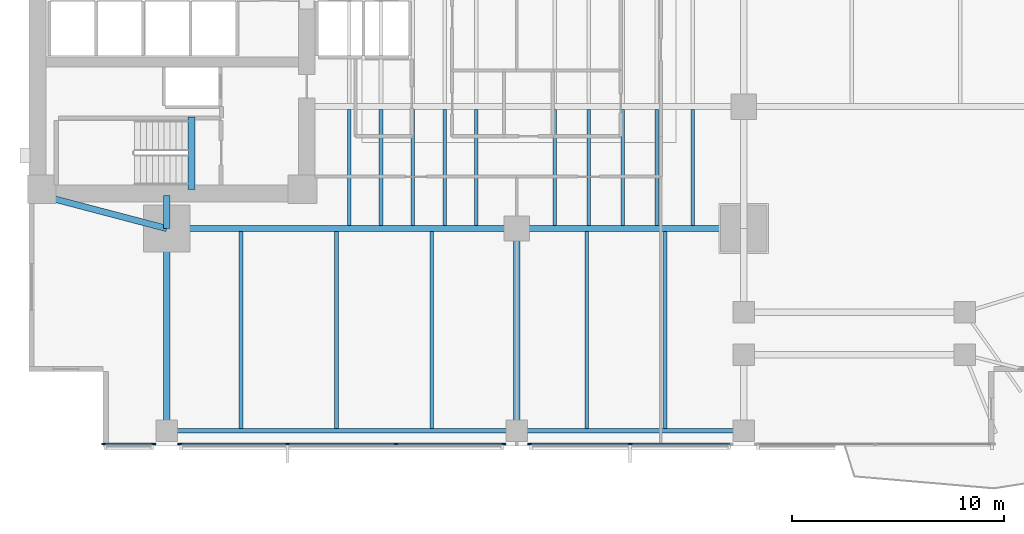
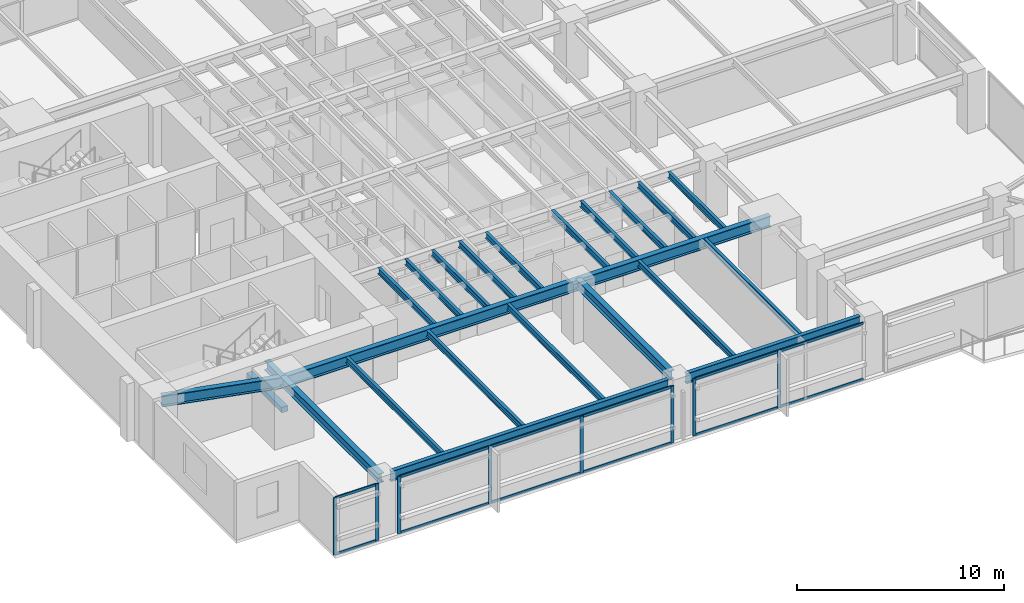
# One storey, part 2 of 15: 24 beams, 20 members, 3 elements without a shape of their own.
"""IFC4 building model written with IfcOpenShell, lengths in metres."""

from ifc_helpers import new_model, si_unit, direction, frame, origin, origin_2d, place, context, subcontext, project, spatial, rectangle, i_section, extrude, material, layer, layer_set, material_profile, profile_set, type_object, element, aggregate, save


model = new_model("IFC4")

# Units and contexts
model_context = context("Model", 3, precision=1e-05, world=origin(), true_north=direction((0.0, 1.0)))
body_context = subcontext(model_context, "Body", "Model", "MODEL_VIEW")
ifc_project = project(units=[si_unit("LENGTHUNIT", "METRE"), si_unit("AREAUNIT", "SQUARE_METRE"), si_unit("VOLUMEUNIT", "CUBIC_METRE"), si_unit("PLANEANGLEUNIT", "RADIAN"), si_unit("MASSUNIT", "GRAM", prefix="KILO")], contexts=[model_context])

# Site, building, storey
site_placement = place(None, origin())
site = spatial("IfcSite", under=ifc_project, at=site_placement, CompositionType="ELEMENT")
building_placement = place(site_placement, origin())
building = spatial("IfcBuilding", under=site, at=building_placement, Name="Kinhvarn Gate Tower", CompositionType="ELEMENT")
storey_placement = place(building_placement, frame((0.0, 0.0, 43.35009765625)))
storey = spatial("IfcBuildingStorey", under=building, at=storey_placement, Name="L10", CompositionType="ELEMENT", Elevation=43.35009765625)

# Beam
ifc_material_1 = material(Name="Concrete C50/60", Category="concrete")
ifc_material_profile_1 = material_profile(ifc_material_1, rectangle(XDim=0.340087890625, YDim=0.320068359375, at=origin_2d()), Name="RC 340x320")
ifc_profile_set_1 = profile_set([ifc_material_profile_1], Name="Concrete C50/60")
beam_type_1 = type_object("IfcBeamType", Name="BM-LND-500", PredefinedType="BEAM", material=ifc_profile_set_1)
beam_1_placement = place(storey_placement, frame((12.1650390625, 14.60009765625, -0.16015625), z_axis=(0.0, 1.0, 0.0), x_axis=(-1.0, 0.0, 0.0)))
element("IfcBeam", 1, at=beam_1_placement, inside=storey, type_object=beam_type_1, Name="Stair ST1 Landing Nosing Beam (L10)", PredefinedType="BEAM", context=body_context, shape_type="SweptSolid", body=[
    extrude(rectangle(XDim=0.340087890625, YDim=0.320068359375, at=origin_2d()), origin(), (0.0, 0.0, 1.0), 3.39990234375),
])

# Curtain wall, members
ifc_material_2 = material(Name="Anodised aluminium AW-6063", Category="aluminium")
ifc_layer = layer(ifc_material_2, 0.179931640625)
ifc_layer_set = layer_set([ifc_layer], Name="Anodised aluminium AW-6063")
curtain_wall_type = type_object("IfcCurtainWallType", Name="CW-SYS-2", PredefinedType="NOTDEFINED", material=ifc_layer_set)
curtain_wall_1_placement = place(storey_placement, origin())
curtain_wall_1 = element("IfcCurtainWall", 2, at=curtain_wall_1_placement, inside=storey, type_object=curtain_wall_type, Name="Curtain Wall CW2 (L10)", PredefinedType="NOTDEFINED")
ifc_material_profile_2 = material_profile(ifc_material_2, rectangle(XDim=0.070068359375, YDim=0.179931640625, at=origin_2d()), Name="ALU 70x180")
ifc_profile_set_2 = profile_set([ifc_material_profile_2], Name="Anodised aluminium AW-6063")
member_type_1 = type_object("IfcMemberType", Name="CW-MUL-180", PredefinedType="MULLION", material=ifc_profile_set_2)
member_1_placement = place(storey_placement, frame((8.034912109375, 2.590087890625, 0.0), z_axis=(0.0, 0.0, 1.0), x_axis=(0.0, 1.0, 0.0)))
member_1 = element("IfcMember", 3, at=member_1_placement, type_object=member_type_1, Name="CW2 mullion 1", PredefinedType="MULLION", context=body_context, shape_type="SweptSolid", body=[
    extrude(rectangle(XDim=0.070068359375, YDim=0.179931640625, at=origin_2d()), origin(), (0.0, 0.0, 1.0), 3.369873046875),
])
member_2_placement = place(storey_placement, frame((10.385009765625, 2.590087890625, 0.0), z_axis=(0.0, 0.0, 1.0), x_axis=(0.0, 1.0, 0.0)))
member_2 = element("IfcMember", 4, at=member_2_placement, type_object=member_type_1, Name="CW2 mullion 2", PredefinedType="MULLION", context=body_context, shape_type="SweptSolid", body=[
    extrude(rectangle(XDim=0.070068359375, YDim=0.179931640625, at=origin_2d()), origin(), (0.0, 0.0, 1.0), 3.369873046875),
])

curtain_wall_2_placement = place(storey_placement, origin())
curtain_wall_2 = element("IfcCurtainWall", 5, at=curtain_wall_2_placement, inside=storey, type_object=curtain_wall_type, Name="Curtain Wall CW2 (L10)", PredefinedType="NOTDEFINED")
member_3_placement = place(storey_placement, frame((11.614990234375, 2.590087890625, 0.0), z_axis=(0.0, 0.0, 1.0), x_axis=(0.0, 1.0, 0.0)))
member_3 = element("IfcMember", 6, at=member_3_placement, type_object=member_type_1, Name="CW2 mullion 1", PredefinedType="MULLION", context=body_context, shape_type="SweptSolid", body=[
    extrude(rectangle(XDim=0.070068359375, YDim=0.179931640625, at=origin_2d()), origin(), (0.0, 0.0, 1.0), 3.369873046875),
])
member_4_placement = place(storey_placement, frame((16.693359375, 2.590087890625, 0.0), z_axis=(0.0, 0.0, 1.0), x_axis=(0.0, 1.0, 0.0)))
member_4 = element("IfcMember", 7, at=member_4_placement, type_object=member_type_1, Name="CW2 mullion 2", PredefinedType="MULLION", context=body_context, shape_type="SweptSolid", body=[
    extrude(rectangle(XDim=0.070068359375, YDim=0.179931640625, at=origin_2d()), origin(), (0.0, 0.0, 1.0), 3.369873046875),
])
member_5_placement = place(storey_placement, frame((21.806640625, 2.590087890625, 0.0), z_axis=(0.0, 0.0, 1.0), x_axis=(0.0, 1.0, 0.0)))
member_5 = element("IfcMember", 8, at=member_5_placement, type_object=member_type_1, Name="CW2 mullion 3", PredefinedType="MULLION", context=body_context, shape_type="SweptSolid", body=[
    extrude(rectangle(XDim=0.070068359375, YDim=0.179931640625, at=origin_2d()), origin(), (0.0, 0.0, 1.0), 3.369873046875),
])
member_6_placement = place(storey_placement, frame((26.885009765625, 2.590087890625, 0.0), z_axis=(0.0, 0.0, 1.0), x_axis=(0.0, 1.0, 0.0)))
member_6 = element("IfcMember", 9, at=member_6_placement, type_object=member_type_1, Name="CW2 mullion 4", PredefinedType="MULLION", context=body_context, shape_type="SweptSolid", body=[
    extrude(rectangle(XDim=0.070068359375, YDim=0.179931640625, at=origin_2d()), origin(), (0.0, 0.0, 1.0), 3.369873046875),
])

curtain_wall_3_placement = place(storey_placement, origin())
curtain_wall_3 = element("IfcCurtainWall", 10, at=curtain_wall_3_placement, inside=storey, type_object=curtain_wall_type, Name="Curtain Wall CW2 (L10)", PredefinedType="NOTDEFINED")
member_7_placement = place(storey_placement, frame((28.114990234375, 2.590087890625, 0.0), z_axis=(0.0, 0.0, 1.0), x_axis=(0.0, 1.0, 0.0)))
member_7 = element("IfcMember", 11, at=member_7_placement, type_object=member_type_1, Name="CW2 mullion 1", PredefinedType="MULLION", context=body_context, shape_type="SweptSolid", body=[
    extrude(rectangle(XDim=0.070068359375, YDim=0.179931640625, at=origin_2d()), origin(), (0.0, 0.0, 1.0), 3.369873046875),
])
member_8_placement = place(storey_placement, frame((32.85009765625, 2.590087890625, 0.0), z_axis=(0.0, 0.0, 1.0), x_axis=(0.0, 1.0, 0.0)))
member_8 = element("IfcMember", 12, at=member_8_placement, type_object=member_type_1, Name="CW2 mullion 2", PredefinedType="MULLION", context=body_context, shape_type="SweptSolid", body=[
    extrude(rectangle(XDim=0.070068359375, YDim=0.179931640625, at=origin_2d()), origin(), (0.0, 0.0, 1.0), 3.369873046875),
])

# Member
ifc_material_profile_3 = material_profile(ifc_material_2, rectangle(XDim=0.070068359375, YDim=0.139892578125, at=origin_2d()), Name="ALU 70x140")
ifc_profile_set_3 = profile_set([ifc_material_profile_3], Name="Anodised aluminium AW-6063")
member_type_2 = type_object("IfcMemberType", Name="CW-TRN-140", PredefinedType="USERDEFINED", material=ifc_profile_set_3)
member_9_placement = place(storey_placement, frame((8.070068359375, 2.590087890625, 0.034912109375), z_axis=(1.0, 0.0, 0.0), x_axis=(0.0, 1.0, 0.0)))
member_9 = element("IfcMember", 13, at=member_9_placement, type_object=member_type_2, Name="CW2 transom 1.1", ObjectType="TRANSOM", PredefinedType="USERDEFINED", context=body_context, shape_type="SweptSolid", body=[
    extrude(rectangle(XDim=0.070068359375, YDim=0.139892578125, at=origin_2d()), origin(), (0.0, 0.0, 1.0), 2.280029296875),
])

member_10_placement = place(storey_placement, frame((8.070068359375, 2.590087890625, 3.3349609375), z_axis=(1.0, 0.0, 0.0), x_axis=(0.0, 1.0, 0.0)))
member_10 = element("IfcMember", 14, at=member_10_placement, type_object=member_type_2, Name="CW2 transom 1.2", ObjectType="TRANSOM", PredefinedType="USERDEFINED", context=body_context, shape_type="SweptSolid", body=[
    extrude(rectangle(XDim=0.070068359375, YDim=0.139892578125, at=origin_2d()), origin(), (0.0, 0.0, 1.0), 2.280029296875),
])

aggregate(curtain_wall_1, [member_1, member_2, member_9, member_10])

member_11_placement = place(storey_placement, frame((11.64990234375, 2.590087890625, 0.034912109375), z_axis=(1.0, 0.0, 0.0), x_axis=(0.0, 1.0, 0.0)))
member_11 = element("IfcMember", 15, at=member_11_placement, type_object=member_type_2, Name="CW2 transom 1.1", ObjectType="TRANSOM", PredefinedType="USERDEFINED", context=body_context, shape_type="SweptSolid", body=[
    extrude(rectangle(XDim=0.070068359375, YDim=0.139892578125, at=origin_2d()), origin(), (0.0, 0.0, 1.0), 5.008544921875),
])

member_12_placement = place(storey_placement, frame((11.64990234375, 2.590087890625, 3.3349609375), z_axis=(1.0, 0.0, 0.0), x_axis=(0.0, 1.0, 0.0)))
member_12 = element("IfcMember", 16, at=member_12_placement, type_object=member_type_2, Name="CW2 transom 1.2", ObjectType="TRANSOM", PredefinedType="USERDEFINED", context=body_context, shape_type="SweptSolid", body=[
    extrude(rectangle(XDim=0.070068359375, YDim=0.139892578125, at=origin_2d()), origin(), (0.0, 0.0, 1.0), 5.008544921875),
])

member_13_placement = place(storey_placement, frame((16.728271484375, 2.590087890625, 0.034912109375), z_axis=(1.0, 0.0, 0.0), x_axis=(0.0, 1.0, 0.0)))
member_13 = element("IfcMember", 17, at=member_13_placement, type_object=member_type_2, Name="CW2 transom 2.1", ObjectType="TRANSOM", PredefinedType="USERDEFINED", context=body_context, shape_type="SweptSolid", body=[
    extrude(rectangle(XDim=0.070068359375, YDim=0.139892578125, at=origin_2d()), origin(), (0.0, 0.0, 1.0), 5.04345703125),
])

member_14_placement = place(storey_placement, frame((16.728271484375, 2.590087890625, 3.3349609375), z_axis=(1.0, 0.0, 0.0), x_axis=(0.0, 1.0, 0.0)))
member_14 = element("IfcMember", 18, at=member_14_placement, type_object=member_type_2, Name="CW2 transom 2.2", ObjectType="TRANSOM", PredefinedType="USERDEFINED", context=body_context, shape_type="SweptSolid", body=[
    extrude(rectangle(XDim=0.070068359375, YDim=0.139892578125, at=origin_2d()), origin(), (0.0, 0.0, 1.0), 5.04345703125),
])

member_15_placement = place(storey_placement, frame((21.841552734375, 2.590087890625, 0.034912109375), z_axis=(1.0, 0.0, 0.0), x_axis=(0.0, 1.0, 0.0)))
member_15 = element("IfcMember", 19, at=member_15_placement, type_object=member_type_2, Name="CW2 transom 3.1", ObjectType="TRANSOM", PredefinedType="USERDEFINED", context=body_context, shape_type="SweptSolid", body=[
    extrude(rectangle(XDim=0.070068359375, YDim=0.139892578125, at=origin_2d()), origin(), (0.0, 0.0, 1.0), 5.008544921875),
])

member_16_placement = place(storey_placement, frame((21.841552734375, 2.590087890625, 3.3349609375), z_axis=(1.0, 0.0, 0.0), x_axis=(0.0, 1.0, 0.0)))
member_16 = element("IfcMember", 20, at=member_16_placement, type_object=member_type_2, Name="CW2 transom 3.2", ObjectType="TRANSOM", PredefinedType="USERDEFINED", context=body_context, shape_type="SweptSolid", body=[
    extrude(rectangle(XDim=0.070068359375, YDim=0.139892578125, at=origin_2d()), origin(), (0.0, 0.0, 1.0), 5.008544921875),
])

aggregate(curtain_wall_2, [member_3, member_4, member_5, member_6, member_11, member_12, member_13, member_14, member_15, member_16])

member_17_placement = place(storey_placement, frame((28.14990234375, 2.590087890625, 0.034912109375), z_axis=(1.0, 0.0, 0.0), x_axis=(0.0, 1.0, 0.0)))
member_17 = element("IfcMember", 21, at=member_17_placement, type_object=member_type_2, Name="CW2 transom 1.1", ObjectType="TRANSOM", PredefinedType="USERDEFINED", context=body_context, shape_type="SweptSolid", body=[
    extrude(rectangle(XDim=0.070068359375, YDim=0.139892578125, at=origin_2d()), origin(), (0.0, 0.0, 1.0), 4.6650390625),
])

member_18_placement = place(storey_placement, frame((28.14990234375, 2.590087890625, 3.3349609375), z_axis=(1.0, 0.0, 0.0), x_axis=(0.0, 1.0, 0.0)))
member_18 = element("IfcMember", 22, at=member_18_placement, type_object=member_type_2, Name="CW2 transom 1.2", ObjectType="TRANSOM", PredefinedType="USERDEFINED", context=body_context, shape_type="SweptSolid", body=[
    extrude(rectangle(XDim=0.070068359375, YDim=0.139892578125, at=origin_2d()), origin(), (0.0, 0.0, 1.0), 4.6650390625),
])

member_19_placement = place(storey_placement, frame((32.885009765625, 2.590087890625, 0.034912109375), z_axis=(1.0, 0.0, 0.0), x_axis=(0.0, 1.0, 0.0)))
member_19 = element("IfcMember", 23, at=member_19_placement, type_object=member_type_2, Name="CW2 transom 2.1", ObjectType="TRANSOM", PredefinedType="USERDEFINED", context=body_context, shape_type="SweptSolid", body=[
    extrude(rectangle(XDim=0.070068359375, YDim=0.139892578125, at=origin_2d()), origin(), (0.0, 0.0, 1.0), 4.6650390625),
])

member_20_placement = place(storey_placement, frame((32.885009765625, 2.590087890625, 3.3349609375), z_axis=(1.0, 0.0, 0.0), x_axis=(0.0, 1.0, 0.0)))
member_20 = element("IfcMember", 24, at=member_20_placement, type_object=member_type_2, Name="CW2 transom 2.2", ObjectType="TRANSOM", PredefinedType="USERDEFINED", context=body_context, shape_type="SweptSolid", body=[
    extrude(rectangle(XDim=0.070068359375, YDim=0.139892578125, at=origin_2d()), origin(), (0.0, 0.0, 1.0), 4.6650390625),
])

aggregate(curtain_wall_3, [member_7, member_8, member_17, member_18, member_19, member_20])

# Beams
ifc_material_3 = material(Name="Steel S355", Category="steel")
ifc_material_profile_4 = material_profile(ifc_material_3, i_section(OverallWidth=0.300048828125, OverallDepth=0.550048828125, WebThickness=0.014892578125, FlangeThickness=0.029052734375, at=origin_2d()), Name="HEB 550")
ifc_profile_set_4 = profile_set([ifc_material_profile_4], Name="Steel S355")
beam_type_2 = type_object("IfcBeamType", Name="STL-HEB550", PredefinedType="BEAM", material=ifc_profile_set_4)
beam_2_placement = place(storey_placement, frame((11.0, 3.219970703125, 3.094970703125), z_axis=(0.0, 1.0, 0.0), x_axis=(-1.0, 0.0, 0.0)))
element("IfcBeam", 25, at=beam_2_placement, inside=storey, type_object=beam_type_2, Name="Floor Beam PG-15 (L10 MCW-S)", PredefinedType="BEAM", context=body_context, shape_type="SweptSolid", body=[
    extrude(i_section(OverallWidth=0.300048828125, OverallDepth=0.550048828125, WebThickness=0.014892578125, FlangeThickness=0.029052734375, at=origin_2d()), origin(), (0.0, 0.0, 1.0), 9.530029296875),
])
beam_3_placement = place(storey_placement, frame((11.0, 12.75, 3.094970703125), z_axis=(0.0, 1.0, 0.0), x_axis=(-1.0, 0.0, 0.0)))
element("IfcBeam", 26, at=beam_3_placement, inside=storey, type_object=beam_type_2, Name="Floor Beam PG-15 (L10 MCW-CS)", PredefinedType="BEAM", context=body_context, shape_type="SweptSolid", body=[
    extrude(i_section(OverallWidth=0.300048828125, OverallDepth=0.550048828125, WebThickness=0.014892578125, FlangeThickness=0.029052734375, at=origin_2d()), origin(), (0.0, 0.0, 1.0), 1.550048828125),
])
beam_4_placement = place(storey_placement, frame((27.5, 3.705078125, 3.094970703125), z_axis=(0.0, 1.0, 0.0), x_axis=(-1.0, 0.0, 0.0)))
element("IfcBeam", 27, at=beam_4_placement, inside=storey, type_object=beam_type_2, Name="Floor Beam PG-15 (L10 SP27-S-TIE)", PredefinedType="BEAM", context=body_context, shape_type="SweptSolid", body=[
    extrude(i_section(OverallWidth=0.300048828125, OverallDepth=0.550048828125, WebThickness=0.014892578125, FlangeThickness=0.029052734375, at=origin_2d()), origin(), (0.0, 0.0, 1.0), 9.044921875),
])
ifc_material_profile_5 = material_profile(ifc_material_3, i_section(OverallWidth=0.300048828125, OverallDepth=0.64990234375, WebThickness=0.01611328125, FlangeThickness=0.031005859375, at=origin_2d()), Name="HEB 650")
ifc_profile_set_5 = profile_set([ifc_material_profile_5], Name="Steel S355")
beam_type_3 = type_object("IfcBeamType", Name="STL-HEB650", PredefinedType="BEAM", material=ifc_profile_set_5)
beam_5_placement = place(storey_placement, frame((11.0, 12.75, 3.044921875), z_axis=(1.0, 0.0, 0.0), x_axis=(0.0, 1.0, 0.0)))
element("IfcBeam", 28, at=beam_5_placement, inside=storey, type_object=beam_type_3, Name="Floor Beam PG-17 (L10 MG-S1)", PredefinedType="BEAM", context=body_context, shape_type="SweptSolid", body=[
    extrude(i_section(OverallWidth=0.300048828125, OverallDepth=0.64990234375, WebThickness=0.01611328125, FlangeThickness=0.031005859375, at=origin_2d()), origin(), (0.0, 0.0, 1.0), 16.5),
])
beam_6_placement = place(storey_placement, frame((27.5, 12.75, 3.044921875), z_axis=(1.0, 0.0, 0.0), x_axis=(0.0, 1.0, 0.0)))
element("IfcBeam", 29, at=beam_6_placement, inside=storey, type_object=beam_type_3, Name="Floor Beam PG-17 (L10 MG-S2)", PredefinedType="BEAM", context=body_context, shape_type="SweptSolid", body=[
    extrude(i_section(OverallWidth=0.300048828125, OverallDepth=0.64990234375, WebThickness=0.01611328125, FlangeThickness=0.031005859375, at=origin_2d()), origin(), (0.0, 0.0, 1.0), 10.699951171875),
])
beam_7_placement = place(storey_placement, frame((5.10009765625, 14.300048828125, 3.044921875), z_axis=(0.967177623957, -0.254101246979, 0.0), x_axis=(0.254101246979, 0.967177623957, 0.0)))
element("IfcBeam", 30, at=beam_7_placement, inside=storey, type_object=beam_type_3, Name="Floor Beam PG-17 (L10 MG-SW-DIAG)", PredefinedType="BEAM", context=body_context, shape_type="SweptSolid", body=[
    extrude(i_section(OverallWidth=0.300048828125, OverallDepth=0.64990234375, WebThickness=0.01611328125, FlangeThickness=0.031005859375, at=origin_2d()), origin(), (0.0, 0.0, 1.0), 6.10009765625),
])
ifc_material_profile_6 = material_profile(ifc_material_3, i_section(OverallWidth=0.169921875, OverallDepth=0.360107421875, WebThickness=0.008056640625, FlangeThickness=0.0126953125, at=origin_2d()), Name="IPE 360")
ifc_profile_set_6 = profile_set([ifc_material_profile_6], Name="Steel S355")
beam_type_4 = type_object("IfcBeamType", Name="STL-IPE360", PredefinedType="JOIST", material=ifc_profile_set_6)
for number, where, z_axis, x_axis, name in (
    (31, (19.60009765625, 12.89990234375, 3.18994140625), (0.0, 1.0, 0.0), (-1.0, 0.0, 0.0), "Floor Joist SB-04 (L10 JC-X196-0)"),
    (32, (21.10009765625, 12.89990234375, 3.18994140625), (0.0, 1.0, 0.0), (-1.0, 0.0, 0.0), "Floor Joist SB-04 (L10 JC-X211-0)"),
    (33, (22.60009765625, 12.89990234375, 3.18994140625), (0.0, 1.0, 0.0), (-1.0, 0.0, 0.0), "Floor Joist SB-04 (L10 JC-X226-0)"),
    (34, (24.10009765625, 12.89990234375, 3.18994140625), (0.0, 1.0, 0.0), (-1.0, 0.0, 0.0), "Floor Joist SB-04 (L10 JC-X241-0)"),
    (35, (25.60009765625, 12.89990234375, 3.18994140625), (0.0, 1.0, 0.0), (-1.0, 0.0, 0.0), "Floor Joist SB-04 (L10 JC-X256-0)"),
    (36, (29.300048828125, 12.89990234375, 3.18994140625), (0.0, 1.0, 0.0), (-1.0, 0.0, 0.0), "Floor Joist SB-04 (L10 JC-X293-0)"),
    (37, (30.89990234375, 12.89990234375, 3.18994140625), (0.0, 1.0, 0.0), (-1.0, 0.0, 0.0), "Floor Joist SB-04 (L10 JC-X309-0)"),
    (38, (32.5, 12.89990234375, 3.18994140625), (0.0, 1.0, 0.0), (-1.0, 0.0, 0.0), "Floor Joist SB-04 (L10 JC-X325-0)"),
    (39, (34.10009765625, 12.89990234375, 3.18994140625), (0.0, 1.0, 0.0), (-1.0, 0.0, 0.0), "Floor Joist SB-04 (L10 JC-X341-0)"),
    (40, (35.800048828125, 12.89990234375, 3.18994140625), (0.0, 1.0, 0.0), (-1.0, 0.0, 0.0), "Floor Joist SB-04 (L10 JC-X358-0)"),
):
    element("IfcBeam", number, at=place(storey_placement, frame(where, z_axis=z_axis, x_axis=x_axis)), inside=storey, type_object=beam_type_4, Name=name, PredefinedType="JOIST", context=body_context, shape_type="SweptSolid", body=[
        extrude(i_section(OverallWidth=0.169921875, OverallDepth=0.360107421875, WebThickness=0.008056640625, FlangeThickness=0.0126953125, at=origin_2d()), origin(), (0.0, 0.0, 1.0), 5.4501953125),
    ])
for number, where, z_axis, x_axis, name in (
    (41, (14.5, 3.330078125, 3.18994140625), (0.0, 1.0, 0.0), (-1.0, 0.0, 0.0), "Floor Joist SB-04 (L10 JS-X145)"),
    (42, (19.0, 3.330078125, 3.18994140625), (0.0, 1.0, 0.0), (-1.0, 0.0, 0.0), "Floor Joist SB-04 (L10 JS-X190)"),
    (43, (23.5, 3.330078125, 3.18994140625), (0.0, 1.0, 0.0), (-1.0, 0.0, 0.0), "Floor Joist SB-04 (L10 JS-X235)"),
    (44, (30.800048828125, 3.330078125, 3.18994140625), (0.0, 1.0, 0.0), (-1.0, 0.0, 0.0), "Floor Joist SB-04 (L10 JS-X308)"),
    (45, (34.5, 3.330078125, 3.18994140625), (0.0, 1.0, 0.0), (-1.0, 0.0, 0.0), "Floor Joist SB-04 (L10 JS-X345)"),
):
    element("IfcBeam", number, at=place(storey_placement, frame(where, z_axis=z_axis, x_axis=x_axis)), inside=storey, type_object=beam_type_4, Name=name, PredefinedType="JOIST", context=body_context, shape_type="SweptSolid", body=[
        extrude(i_section(OverallWidth=0.169921875, OverallDepth=0.360107421875, WebThickness=0.008056640625, FlangeThickness=0.0126953125, at=origin_2d()), origin(), (0.0, 0.0, 1.0), 9.27001953125),
    ])
ifc_material_profile_7 = material_profile(ifc_material_3, i_section(OverallWidth=0.219970703125, OverallDepth=0.60009765625, WebThickness=0.011962890625, FlangeThickness=0.01904296875, at=origin_2d()), Name="IPE 600")
ifc_profile_set_7 = profile_set([ifc_material_profile_7], Name="Steel S355")
beam_type_5 = type_object("IfcBeamType", Name="STL-IPE600", PredefinedType="SPANDREL", material=ifc_profile_set_7)
beam_8_placement = place(storey_placement, frame((11.485107421875, 3.219970703125, 3.06982421875), z_axis=(1.0, 0.0, 0.0), x_axis=(0.0, 1.0, 0.0)))
element("IfcBeam", 46, at=beam_8_placement, inside=storey, type_object=beam_type_5, Name="Floor Spandrel SB-09 (L10 SP-S1)", PredefinedType="SPANDREL", context=body_context, shape_type="SweptSolid", body=[
    extrude(i_section(OverallWidth=0.219970703125, OverallDepth=0.60009765625, WebThickness=0.011962890625, FlangeThickness=0.01904296875, at=origin_2d()), origin(), (0.0, 0.0, 1.0), 15.52978515625),
])
beam_9_placement = place(storey_placement, frame((27.985107421875, 3.219970703125, 3.06982421875), z_axis=(1.0, 0.0, 0.0), x_axis=(0.0, 1.0, 0.0)))
element("IfcBeam", 47, at=beam_9_placement, inside=storey, type_object=beam_type_5, Name="Floor Spandrel SB-09 (L10 SP-S2)", PredefinedType="SPANDREL", context=body_context, shape_type="SweptSolid", body=[
    extrude(i_section(OverallWidth=0.219970703125, OverallDepth=0.60009765625, WebThickness=0.011962890625, FlangeThickness=0.01904296875, at=origin_2d()), origin(), (0.0, 0.0, 1.0), 9.72998046875),
])

save(model, "model.ifc")
